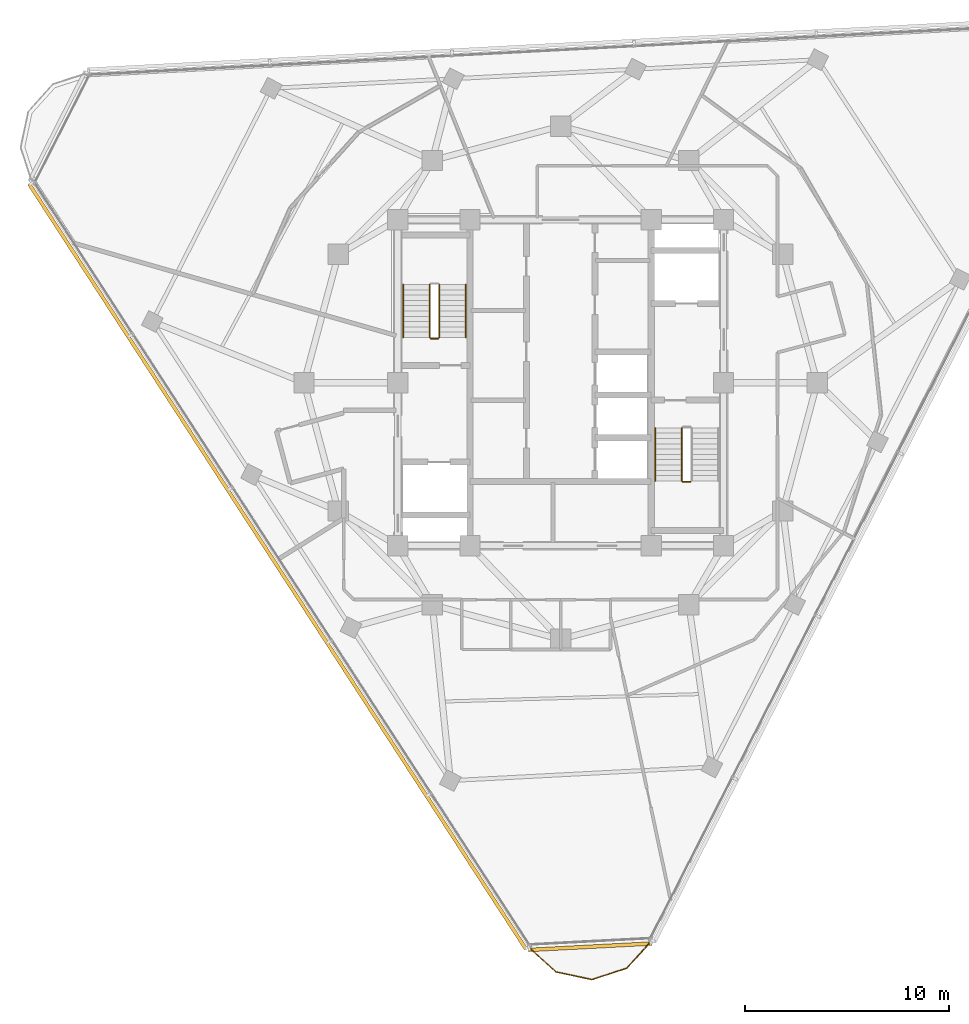
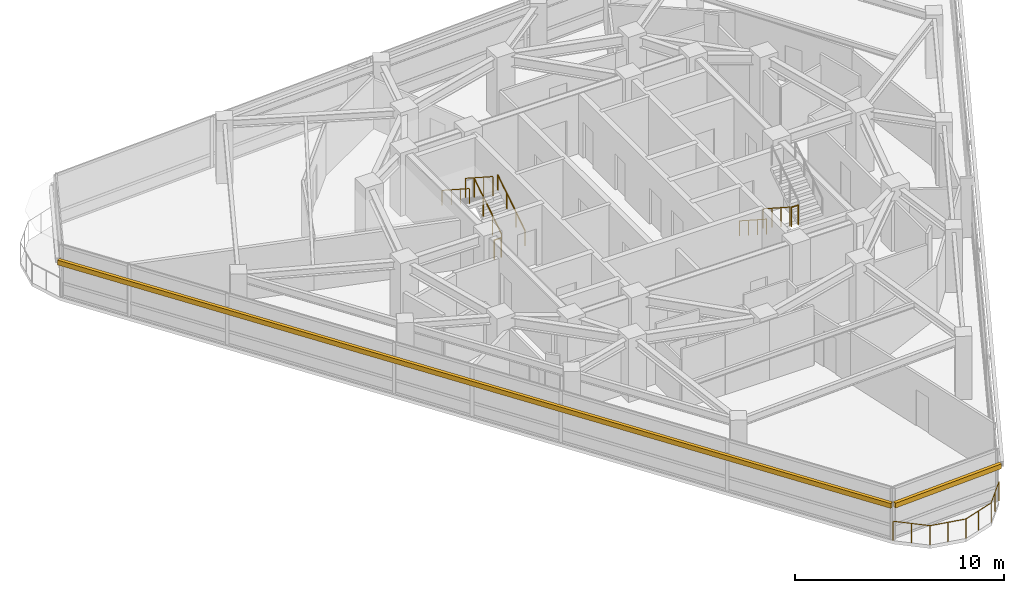
# One storey, part 12 of 15: 9 railings, 2 shading devices.
"""IFC4 building model written with IfcOpenShell, lengths in metres."""

from ifc_helpers import new_model, si_unit, direction, frame, origin, origin_2d, place, context, subcontext, project, spatial, rectangle, circle, extrude, material, layer, layer_set, type_object, element, save


model = new_model("IFC4")

# Units and contexts
model_context = context("Model", 3, precision=1e-05, world=origin(), true_north=direction((0.0, 1.0)))
body_context = subcontext(model_context, "Body", "Model", "MODEL_VIEW")
ifc_project = project(units=[si_unit("LENGTHUNIT", "METRE"), si_unit("AREAUNIT", "SQUARE_METRE"), si_unit("VOLUMEUNIT", "CUBIC_METRE"), si_unit("PLANEANGLEUNIT", "RADIAN"), si_unit("MASSUNIT", "GRAM", prefix="KILO")], contexts=[model_context])

# Site, building, storey
site_placement = place(None, origin())
site = spatial("IfcSite", under=ifc_project, at=site_placement, CompositionType="ELEMENT")
building_placement = place(site_placement, origin())
building = spatial("IfcBuilding", under=site, at=building_placement, Name="Terralouvre Media Tower", CompositionType="ELEMENT")
storey_placement = place(building_placement, frame((0.0, 0.0, 259.60009765625)))
storey = spatial("IfcBuildingStorey", under=building, at=storey_placement, Name="L67", CompositionType="ELEMENT", Elevation=259.60009765625)

# Railings
ifc_material_1 = material(Name="Stainless steel 316 handrail and balustrade", Category="steel")
ifc_layer_1 = layer(ifc_material_1, 0.06005859375, Name="Roof Edge Safety Guardrail GR-ROOF1")
ifc_layer_set_1 = layer_set([ifc_layer_1], Name="Stainless steel 316 handrail and balustrade")
railing_type_1 = type_object("IfcRailingType", Name="Roof Edge Safety Guardrail GR-ROOF1", PredefinedType="GUARDRAIL", material=ifc_layer_set_1)
railing_1_placement = place(storey_placement, frame((-1.580810546875, -27.72119140625, 0.0)))
element("IfcRailing", 1, at=railing_1_placement, inside=storey, type_object=railing_type_1, Name="L67 Wind-Corner Perimeter Safety Guardrail C0", PredefinedType="GUARDRAIL", context=body_context, shape_type="SweptSolid", body=[
    extrude(circle(Radius=0.02099609375, at=origin_2d()), frame((0.0, 0.0, 1.12890625), z_axis=(0.743012566317, -0.66927746585, 0.0), x_axis=(0.66927746585, 0.743012566317, 0.0)), (0.0, 0.0, 1.0), 1.81103515625),
    extrude(circle(Radius=0.02099609375, at=origin_2d()), frame((1.345703125, -1.212158203125, 1.12890625), z_axis=(0.978122858597, -0.208028059382, 0.0), x_axis=(0.208028059382, 0.978122858597, 0.0)), (0.0, 0.0, 1.0), 1.810791015625),
    extrude(circle(Radius=0.02099609375, at=origin_2d()), frame((3.116943359375, -1.5888671875, 1.12890625), z_axis=(0.951016233487, 0.309140944625, 0.0), x_axis=(-0.309140944625, 0.951016233487, 0.0)), (0.0, 0.0, 1.0), 1.810791015625),
    extrude(circle(Radius=0.02099609375, at=origin_2d()), frame((4.839111328125, -1.029052734375, 1.12890625), z_axis=(0.668920042495, 0.74333436403, 0.0), x_axis=(-0.74333436403, 0.668920042495, 0.0)), (0.0, 0.0, 1.0), 1.81103515625),
    extrude(circle(Radius=0.01904296875, at=origin_2d()), origin(), (0.0, 0.0, 1.0), 1.10791015625),
    extrude(circle(Radius=0.01904296875, at=origin_2d()), frame((0.6728515625, -0.60595703125, 0.0)), (0.0, 0.0, 1.0), 1.10791015625),
    extrude(circle(Radius=0.01904296875, at=origin_2d()), frame((1.345703125, -1.212158203125, 0.0)), (0.0, 0.0, 1.0), 1.10791015625),
    extrude(circle(Radius=0.01904296875, at=origin_2d()), frame((2.2314453125, -1.400390625, 0.0)), (0.0, 0.0, 1.0), 1.10791015625),
    extrude(circle(Radius=0.01904296875, at=origin_2d()), frame((3.116943359375, -1.5888671875, 0.0)), (0.0, 0.0, 1.0), 1.10791015625),
    extrude(circle(Radius=0.01904296875, at=origin_2d()), frame((3.97802734375, -1.30908203125, 0.0)), (0.0, 0.0, 1.0), 1.10791015625),
    extrude(circle(Radius=0.01904296875, at=origin_2d()), frame((4.839111328125, -1.029052734375, 0.0)), (0.0, 0.0, 1.0), 1.10791015625),
    extrude(circle(Radius=0.01904296875, at=origin_2d()), frame((5.44482421875, -0.35595703125, 0.0)), (0.0, 0.0, 1.0), 1.10791015625),
    extrude(circle(Radius=0.01904296875, at=origin_2d()), frame((6.050537109375, 0.317138671875, 0.0)), (0.0, 0.0, 1.0), 1.10791015625),
])
ifc_material_2 = material(Name="Stainless steel 316 handrail and balustrade", Category="steel")
ifc_layer_2 = layer(ifc_material_2, 0.050048828125, Name="Stair Flight Wall Handrail HR-INT1")
ifc_layer_set_2 = layer_set([ifc_layer_2], Name="Stainless steel 316 handrail and balustrade")
railing_type_2 = type_object("IfcRailingType", Name="Stair Flight Wall Handrail HR-INT1", PredefinedType="HANDRAIL", material=ifc_layer_set_2)
railing_2_placement = place(storey_placement, frame((-4.64990234375, 2.219970703125, 0.16796875)))
element("IfcRailing", 2, at=railing_2_placement, inside=storey, type_object=railing_type_2, Name="L67 ST-01 stair handrail 1", PredefinedType="HANDRAIL", context=body_context, shape_type="SweptSolid", body=[
    extrude(circle(Radius=0.02392578125, at=origin_2d()), frame((0.0, 0.0, 0.8759765625), z_axis=(0.0, 0.839648411786, 0.543130320075), x_axis=(-1.0, 0.0, 0.0)), (0.0, 0.0, 1.0), 3.0966796875),
    extrude(circle(Radius=0.02099609375, at=origin_2d()), origin(), (0.0, 0.0, 1.0), 0.851806640625),
    extrude(circle(Radius=0.02099609375, at=origin_2d()), frame((0.0, 0.86669921875, 0.560546875)), (0.0, 0.0, 1.0), 0.851806640625),
    extrude(circle(Radius=0.02099609375, at=origin_2d()), frame((0.0, 1.7333984375, 1.121337890625)), (0.0, 0.0, 1.0), 0.851806640625),
    extrude(circle(Radius=0.02099609375, at=origin_2d()), frame((0.0, 2.60009765625, 1.681884765625)), (0.0, 0.0, 1.0), 0.851806640625),
])
for number, where, name in (
    (3, (-7.72998046875, 4.820068359375, 2.01806640625), "L67 ST-01 stair handrail 2"),
    (4, (4.64990234375, -2.219970703125, 0.16796875), "L67 ST-02 stair handrail 1"),
):
    element("IfcRailing", number, at=place(storey_placement, frame(where)), inside=storey, type_object=railing_type_2, Name=name, PredefinedType="HANDRAIL", context=body_context, shape_type="SweptSolid", body=[
        extrude(circle(Radius=0.02392578125, at=origin_2d()), frame((0.0, 0.0, 0.8759765625), z_axis=(0.0, -0.839648411786, 0.543130320075), x_axis=(1.0, 0.0, 0.0)), (0.0, 0.0, 1.0), 3.0966796875),
        extrude(circle(Radius=0.02099609375, at=origin_2d()), origin(), (0.0, 0.0, 1.0), 0.851806640625),
        extrude(circle(Radius=0.02099609375, at=origin_2d()), frame((0.0, -0.86669921875, 0.560546875)), (0.0, 0.0, 1.0), 0.851806640625),
        extrude(circle(Radius=0.02099609375, at=origin_2d()), frame((0.0, -1.7333984375, 1.121337890625)), (0.0, 0.0, 1.0), 0.851806640625),
        extrude(circle(Radius=0.02099609375, at=origin_2d()), frame((0.0, -2.60009765625, 1.681884765625)), (0.0, 0.0, 1.0), 0.851806640625),
    ])
ifc_material_3 = material(Name="Stainless steel 316 handrail and balustrade", Category="steel")
ifc_layer_3 = layer(ifc_material_3, 0.050048828125, Name="Stairwell Safety Guardrail GR-INT1")
ifc_layer_set_3 = layer_set([ifc_layer_3], Name="Stainless steel 316 handrail and balustrade")
railing_type_3 = type_object("IfcRailingType", Name="Stairwell Safety Guardrail GR-INT1", PredefinedType="GUARDRAIL", material=ifc_layer_set_3)
railing_3_placement = place(storey_placement, frame((-5.949951171875, 2.219970703125, 0.16796875)))
element("IfcRailing", 5, at=railing_3_placement, inside=storey, type_object=railing_type_3, Name="L67 ST-01 stair guard 1", PredefinedType="GUARDRAIL", context=body_context, shape_type="SweptSolid", body=[
    extrude(circle(Radius=0.02392578125, at=origin_2d()), frame((0.0, 0.0, 1.1259765625), z_axis=(0.0, 0.839648411786, 0.543130320075), x_axis=(-1.0, 0.0, 0.0)), (0.0, 0.0, 1.0), 3.0966796875),
    extrude(circle(Radius=0.02099609375, at=origin_2d()), origin(), (0.0, 0.0, 1.0), 1.101806640625),
    extrude(circle(Radius=0.02099609375, at=origin_2d()), frame((0.0, 0.86669921875, 0.560546875)), (0.0, 0.0, 1.0), 1.101806640625),
    extrude(circle(Radius=0.02099609375, at=origin_2d()), frame((0.0, 1.7333984375, 1.121337890625)), (0.0, 0.0, 1.0), 1.101806640625),
    extrude(circle(Radius=0.02099609375, at=origin_2d()), frame((0.0, 2.60009765625, 1.681884765625)), (0.0, 0.0, 1.0), 1.101806640625),
])
railing_4_placement = place(storey_placement, frame((-6.429931640625, 4.820068359375, 2.01806640625)))
element("IfcRailing", 6, at=railing_4_placement, inside=storey, type_object=railing_type_3, Name="L67 ST-01 stair guard 3", PredefinedType="GUARDRAIL", context=body_context, shape_type="SweptSolid", body=[
    extrude(circle(Radius=0.02392578125, at=origin_2d()), frame((0.0, 0.0, 1.1259765625), z_axis=(0.0, -0.839648411786, 0.543130320075), x_axis=(1.0, 0.0, 0.0)), (0.0, 0.0, 1.0), 3.0966796875),
    extrude(circle(Radius=0.02099609375, at=origin_2d()), origin(), (0.0, 0.0, 1.0), 1.101806640625),
    extrude(circle(Radius=0.02099609375, at=origin_2d()), frame((0.0, -0.86669921875, 0.560546875)), (0.0, 0.0, 1.0), 1.101806640625),
    extrude(circle(Radius=0.02099609375, at=origin_2d()), frame((0.0, -1.7333984375, 1.121337890625)), (0.0, 0.0, 1.0), 1.101806640625),
    extrude(circle(Radius=0.02099609375, at=origin_2d()), frame((0.0, -2.60009765625, 1.681884765625)), (0.0, 0.0, 1.0), 1.101806640625),
])
railing_5_placement = place(storey_placement, frame((-6.0, 2.169921875, 0.0)))
element("IfcRailing", 7, at=railing_5_placement, inside=storey, type_object=railing_type_3, Name="L67 ST-01 stair guard 4", PredefinedType="GUARDRAIL", context=body_context, shape_type="SweptSolid", body=[
    extrude(circle(Radius=0.02392578125, at=origin_2d()), frame((0.0, 0.0, 1.1259765625), z_axis=(-1.0, 0.0, 0.0), x_axis=(0.0, -1.0, 0.0)), (0.0, 0.0, 1.0), 0.3798828125),
    extrude(circle(Radius=0.02099609375, at=origin_2d()), origin(), (0.0, 0.0, 1.0), 1.101806640625),
    extrude(circle(Radius=0.02099609375, at=origin_2d()), frame((-0.3798828125, 0.0, 0.0)), (0.0, 0.0, 1.0), 1.101806640625),
])
railing_6_placement = place(storey_placement, frame((5.949951171875, -2.219970703125, 0.16796875)))
element("IfcRailing", 8, at=railing_6_placement, inside=storey, type_object=railing_type_3, Name="L67 ST-02 stair guard 1", PredefinedType="GUARDRAIL", context=body_context, shape_type="SweptSolid", body=[
    extrude(circle(Radius=0.02392578125, at=origin_2d()), frame((0.0, 0.0, 1.1259765625), z_axis=(0.0, -0.839648411786, 0.543130320075), x_axis=(1.0, 0.0, 0.0)), (0.0, 0.0, 1.0), 3.0966796875),
    extrude(circle(Radius=0.02099609375, at=origin_2d()), origin(), (0.0, 0.0, 1.0), 1.101806640625),
    extrude(circle(Radius=0.02099609375, at=origin_2d()), frame((0.0, -0.86669921875, 0.560546875)), (0.0, 0.0, 1.0), 1.101806640625),
    extrude(circle(Radius=0.02099609375, at=origin_2d()), frame((0.0, -1.7333984375, 1.121337890625)), (0.0, 0.0, 1.0), 1.101806640625),
    extrude(circle(Radius=0.02099609375, at=origin_2d()), frame((0.0, -2.60009765625, 1.681884765625)), (0.0, 0.0, 1.0), 1.101806640625),
])
railing_7_placement = place(storey_placement, frame((6.0, -4.8701171875, 1.849853515625)))
element("IfcRailing", 9, at=railing_7_placement, inside=storey, type_object=railing_type_3, Name="L67 ST-02 stair guard 2", PredefinedType="GUARDRAIL", context=body_context, shape_type="SweptSolid", body=[
    extrude(circle(Radius=0.02392578125, at=origin_2d()), frame((0.0, 0.0, 1.1259765625), z_axis=(1.0, 0.0, 0.0), x_axis=(0.0, 1.0, 0.0)), (0.0, 0.0, 1.0), 0.3798828125),
    extrude(circle(Radius=0.02099609375, at=origin_2d()), origin(), (0.0, 0.0, 1.0), 1.101806640625),
    extrude(circle(Radius=0.02099609375, at=origin_2d()), frame((0.3798828125, 0.0, 0.0)), (0.0, 0.0, 1.0), 1.101806640625),
])

# Shading devices
ifc_material_4 = material(Name="Extruded terracotta baguette sunshade louvres", Category="masonry")
shading_device_type = type_object("IfcShadingDeviceType", Name="Terracotta Baguette Sunshade Louvre Screen TB-LV1", PredefinedType="USERDEFINED", material=ifc_material_4)
shading_device_1_placement = place(storey_placement, frame((-13.89892578125, -9.026123046875, 2.02392578125), z_axis=(0.0, 0.0, 1.0), x_axis=(0.544639069077, -0.838670545826, 0.0)))
element("IfcShadingDevice", 10, at=shading_device_1_placement, inside=storey, type_object=shading_device_type, Name="CW-L67-F2 Terracotta Baguette Sunshade Louvre", ObjectType="BAGUETTE", PredefinedType="USERDEFINED", context=body_context, shape_type="SweptSolid", body=[
    extrude(rectangle(XDim=44.800048828125, YDim=0.179931640625, at=origin_2d()), origin(), (0.0, 0.0, 1.0), 0.280029296875),
])
shading_device_2_placement = place(storey_placement, frame((1.45166015625, -27.697265625, 2.02392578125), z_axis=(0.0, 0.0, 1.0), x_axis=(0.998629533744, 0.05233597552, 0.0)))
element("IfcShadingDevice", 11, at=shading_device_2_placement, inside=storey, type_object=shading_device_type, Name="CW-L67-C0 Terracotta Baguette Sunshade Louvre", ObjectType="BAGUETTE", PredefinedType="USERDEFINED", context=body_context, shape_type="SweptSolid", body=[
    extrude(rectangle(XDim=6.062255859375, YDim=0.179931640625, at=origin_2d()), origin(), (0.0, 0.0, 1.0), 0.280029296875),
])

save(model, "model.ifc")
